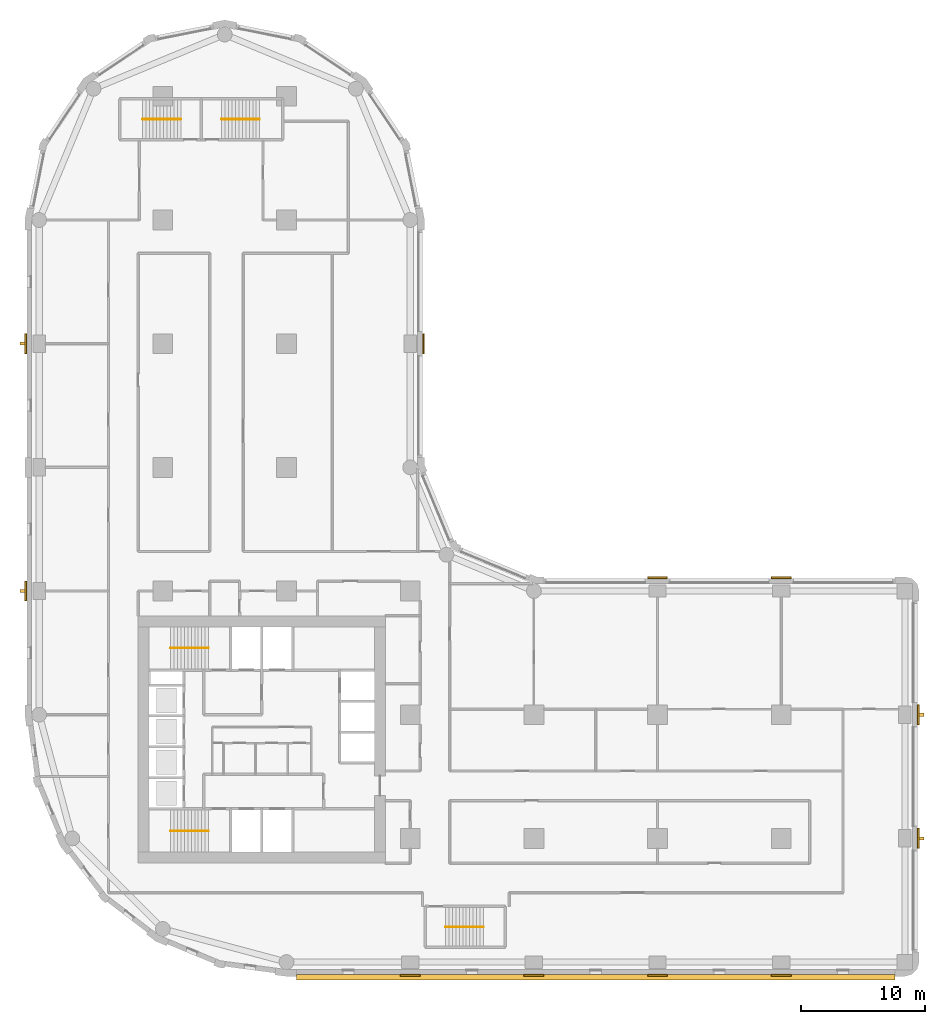
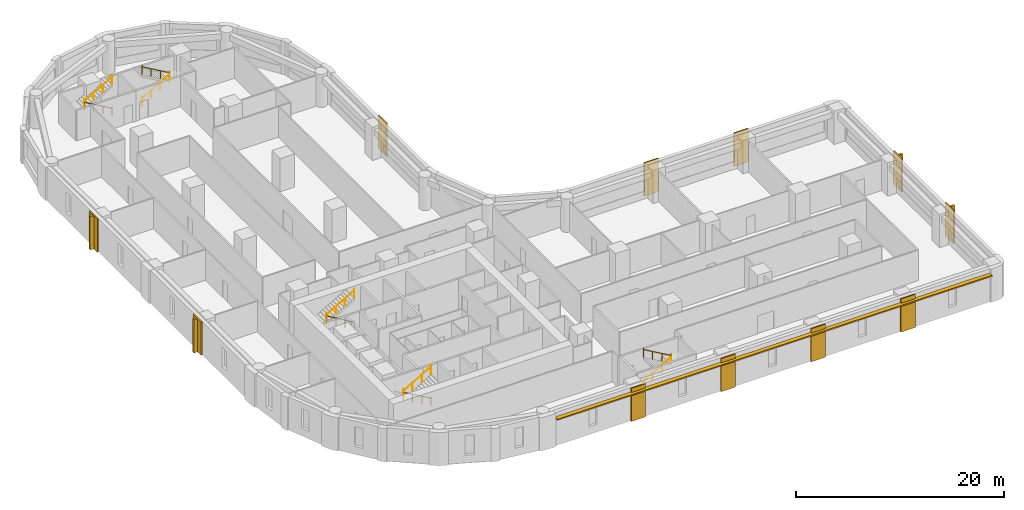
# One storey, part 9 of 10: 11 coverings, 10 railings, 5 shading devices.
"""IFC4 building model written with IfcOpenShell, lengths in metres."""

import ifcopenshell
import ifcopenshell.guid

model = None  # the IFC model being written
_history = None  # IfcOwnerHistory: only IFC2X3 demands one
_inside = {}  # id of a spatial element -> (the spatial element, [elements in it])
_under = {}  # id of a project, library or spatial element -> (it, [spatial elements below it])
_declared = {}  # id of a project -> (the project, [libraries it declares])
_typed = {}  # id of a type object -> (the type object, [elements of that type])
_made_of = {}  # id of a material, layer set ... -> (it, [elements and type objects made of it])


def new_model(schema):
    """Start an empty IFC model of exactly this schema.

    Asked for "IFC4X3", IfcOpenShell would pick the latest addendum, in which some entities
    have other attributes; the version numbers below select the first issue.
    IFC2X3 requires an IfcOwnerHistory on every rooted entity: one is made here for all.
    """
    global model, _history
    if schema == "IFC4X3":
        model = ifcopenshell.file(schema_version=(4, 3, 0, 0))
    else:
        model = ifcopenshell.file(schema=schema)
    _inside.clear()
    _under.clear()
    _declared.clear()
    _typed.clear()
    _made_of.clear()
    _history = None
    if model.schema == "IFC2X3":
        org = make("IfcOrganization", Name="unknown")
        user = make(
            "IfcPersonAndOrganization",
            ThePerson=make("IfcPerson", FamilyName="unknown"),
            TheOrganization=org,
        )
        app = make(
            "IfcApplication",
            ApplicationDeveloper=org,
            Version="unknown",
            ApplicationFullName="unknown",
            ApplicationIdentifier="unknown",
        )
        _history = make(
            "IfcOwnerHistory",
            OwningUser=user,
            OwningApplication=app,
            ChangeAction="ADDED",
            CreationDate=0,
        )
    return model


def make(cls, **values):
    """One entity of the class cls with the attributes given. An attribute that is None is left unset."""
    return model.create_entity(
        cls, **{name: value for name, value in values.items() if value is not None}
    )


def rooted(cls, **values):
    """An entity with a GlobalId (a new one), such as an element, a storey or a relation."""
    return make(cls, GlobalId=ifcopenshell.guid.new(), OwnerHistory=_history, **values)


def si_unit(unit_type, name, prefix=None):
    """IfcSIUnit, for example si_unit("LENGTHUNIT", "METRE", prefix="MILLI")."""
    return make("IfcSIUnit", UnitType=unit_type, Prefix=prefix, Name=name)


def assignment(units):
    """IfcUnitAssignment: the units of a project."""
    return None if units is None else make("IfcUnitAssignment", Units=units)


def point(xyz):
    """IfcCartesianPoint."""
    return None if xyz is None else make("IfcCartesianPoint", Coordinates=xyz)


def direction(xyz):
    """IfcDirection."""
    return None if xyz is None else make("IfcDirection", DirectionRatios=xyz)


def frame(location, z_axis=None, x_axis=None):
    """IfcAxis2Placement3D, a coordinate frame: its origin and axes. An axis left out is left unset."""
    return make(
        "IfcAxis2Placement3D",
        Location=point(location),
        Axis=direction(z_axis),
        RefDirection=direction(x_axis),
    )


def frame_2d(location, x_axis=None):
    """IfcAxis2Placement2D, a coordinate frame in the plane: its origin and x axis."""
    return make(
        "IfcAxis2Placement2D", Location=point(location), RefDirection=direction(x_axis)
    )


def origin():
    """The frame at (0, 0, 0) with its axes left unset."""
    return frame((0.0, 0.0, 0.0))


def origin_2d():
    """The frame at (0, 0) in the plane with its x axis left unset."""
    return frame_2d((0.0, 0.0))


def place(relative_to, where):
    """IfcLocalPlacement: puts the frame where relative to a parent placement (None: the world)."""
    return make(
        "IfcLocalPlacement", PlacementRelTo=relative_to, RelativePlacement=where
    )


def context(
    kind, dimensions, precision=None, world=None, true_north=None, identifier=None
):
    """IfcGeometricRepresentationContext, for example the 3D "Model" context."""
    return make(
        "IfcGeometricRepresentationContext",
        ContextIdentifier=identifier,
        ContextType=kind,
        CoordinateSpaceDimension=dimensions,
        Precision=precision,
        WorldCoordinateSystem=world,
        TrueNorth=true_north,
    )


def subcontext(parent, identifier, kind, view, scale=None):
    """IfcGeometricRepresentationSubContext, for example "Body" below "Model"."""
    return make(
        "IfcGeometricRepresentationSubContext",
        ContextIdentifier=identifier,
        ContextType=kind,
        ParentContext=parent,
        TargetScale=scale,
        TargetView=view,
    )


def project(units=None, contexts=None):
    """IfcProject with its units and contexts."""
    return rooted(
        "IfcProject",
        Name="project",
        RepresentationContexts=contexts,
        UnitsInContext=assignment(units),
    )


def spatial(cls, under=None, at=None, **own):
    """A site, building, storey or space (cls), placed at a placement, below another one or the project."""
    s = rooted(cls, ObjectPlacement=at, **own)
    if under is not None:
        _under.setdefault(under.id(), (under, []))[1].append(s)
    return s


def polyline(points):
    """IfcPolyline through the points."""
    return make("IfcPolyline", Points=[point(p) for p in points])


def profile(cls, at=None, kind="AREA", **sizes):
    """A parametric profile (cls). Its sizes go by their IFC names, for example OverallWidth=200.0."""
    return make(cls, ProfileType=kind, Position=at, **sizes)


def rectangle(**sizes):
    """IfcRectangleProfileDef."""
    return profile("IfcRectangleProfileDef", **sizes)


def circle(**sizes):
    """IfcCircleProfileDef."""
    return profile("IfcCircleProfileDef", **sizes)


def outline(outer, holes=None, kind="AREA"):
    """IfcArbitraryClosedProfileDef: a profile drawn as a closed curve; with holes, ...WithVoids."""
    if holes is None:
        return make("IfcArbitraryClosedProfileDef", ProfileType=kind, OuterCurve=outer)
    return make(
        "IfcArbitraryProfileDefWithVoids",
        ProfileType=kind,
        OuterCurve=outer,
        InnerCurves=holes,
    )


def extrude(swept, where, along, depth):
    """IfcExtrudedAreaSolid: the profile swept, set in the frame where, extruded along a direction by depth."""
    return make(
        "IfcExtrudedAreaSolid",
        SweptArea=swept,
        Position=where,
        ExtrudedDirection=direction(along),
        Depth=depth,
    )


def shape(context_of_items, identifier, shape_type, items):
    """IfcShapeRepresentation: the items that make up one representation, for example the "Body"."""
    return make(
        "IfcShapeRepresentation",
        ContextOfItems=context_of_items,
        RepresentationIdentifier=identifier,
        RepresentationType=shape_type,
        Items=items,
    )


def material(Name=None, Category=None):
    """IfcMaterial."""
    return make("IfcMaterial", Name=Name, Category=Category)


def layer(
    of_material, thickness, ventilated=None, Name=None, Category=None, Priority=None
):
    """IfcMaterialLayer: one layer of a wall or slab, of a material (None: an air gap)."""
    return make(
        "IfcMaterialLayer",
        Material=of_material,
        LayerThickness=thickness,
        IsVentilated=ventilated,
        Name=Name,
        Category=Category,
        Priority=Priority,
    )


def layer_set(layers, Name=None):
    """IfcMaterialLayerSet."""
    return make("IfcMaterialLayerSet", MaterialLayers=layers, LayerSetName=Name)


def made_of(thing, what):
    """Note that an element or type object is made of a material, layer set ...; save() writes the relation."""
    if what is not None:
        _made_of.setdefault(what.id(), (what, []))[1].append(thing)
    return thing


def type_object(cls, material=None, **own):
    """A type object (cls), such as IfcWallType, which elements share."""
    return made_of(rooted(cls, **own), material)


def element(
    cls,
    number,
    at=None,
    inside=None,
    cuts=None,
    type_object=None,
    material=None,
    context=None,
    identifier="Body",
    shape_type=None,
    held_by="IfcProductDefinitionShape",
    body=None,
    shapes=None,
    **own,
):
    """One element of the class cls, such as IfcWall. Its Tag is "e" and its number.

    at: its placement. inside: the storey or other place that contains it. cuts: it is an
    opening in that element (IfcRelVoidsElement). A single representation is given by context,
    identifier, shape_type and body (its items); several are given by shapes. held_by: the class
    of the entity that holds the representations. save() writes the other relations.
    """
    e = rooted(cls, Tag="e%d" % number, ObjectPlacement=at, **own)
    if body is not None:
        shapes = [shape(context, identifier, shape_type, body)]
    if shapes is not None:
        e.Representation = make(held_by, Representations=shapes)
    if inside is not None:
        _inside.setdefault(inside.id(), (inside, []))[1].append(e)
    if cuts is not None:
        rooted(
            "IfcRelVoidsElement", RelatingBuildingElement=cuts, RelatedOpeningElement=e
        )
    if type_object is not None:
        _typed.setdefault(type_object.id(), (type_object, []))[1].append(e)
    return made_of(e, material)


def aggregate(whole, parts):
    """IfcRelAggregates: a whole, such as a stair, and the parts it consists of."""
    return rooted("IfcRelAggregates", RelatingObject=whole, RelatedObjects=parts)


def save(model, path):
    """Write the relations noted so far, then the file.

    IfcRelAggregates (storeys below a building ...), IfcRelContainedInSpatialStructure (elements
    in a storey), IfcRelDefinesByType, IfcRelAssociatesMaterial and IfcRelDeclares: one each for
    every whole, place, type object, material and project.
    """
    for whole, parts in _under.values():
        aggregate(whole, parts)
    for where, things in _inside.values():
        rooted(
            "IfcRelContainedInSpatialStructure",
            RelatedElements=things,
            RelatingStructure=where,
        )
    for kind, things in _typed.values():
        rooted("IfcRelDefinesByType", RelatedObjects=things, RelatingType=kind)
    for what, things in _made_of.values():
        rooted("IfcRelAssociatesMaterial", RelatedObjects=things, RelatingMaterial=what)
    for by, libraries in _declared.values():
        rooted("IfcRelDeclares", RelatingContext=by, RelatedDefinitions=libraries)
    model.write(path)


model = new_model("IFC4")

# Units and contexts
model_context = context("Model", 3, precision=1e-05, world=origin(), true_north=direction((0.0, 1.0)))
body_context = subcontext(model_context, "Body", "Model", "MODEL_VIEW")
ifc_project = project(units=[si_unit("LENGTHUNIT", "METRE"), si_unit("AREAUNIT", "SQUARE_METRE"), si_unit("VOLUMEUNIT", "CUBIC_METRE"), si_unit("PLANEANGLEUNIT", "RADIAN"), si_unit("MASSUNIT", "GRAM", prefix="KILO")], contexts=[model_context])

# Site, building, storey
site_placement = place(None, origin())
site = spatial("IfcSite", under=ifc_project, at=site_placement, CompositionType="ELEMENT")
building_placement = place(site_placement, origin())
building = spatial("IfcBuilding", under=site, at=building_placement, Name="Qaws Garden Tower", CompositionType="ELEMENT")
storey_placement = place(building_placement, frame((0.0, 0.0, 70.5)))
storey = spatial("IfcBuildingStorey", under=building, at=storey_placement, Name="L17", CompositionType="ELEMENT", Elevation=70.5)

# Coverings
ifc_material_1 = material(Name="Clay facing brick masonry", Category="masonry")
ifc_layer_1 = layer(ifc_material_1, 0.14990234375)
ifc_layer_set_1 = layer_set([ifc_layer_1], Name="Clay facing brick masonry")
covering_type = type_object("IfcCoveringType", Name="Brick pilaster facing 150 x 1600", PredefinedType="CLADDING", material=ifc_layer_set_1)
placement = place(storey_placement, origin())
element("IfcCovering", 1, at=placement, inside=storey, type_object=covering_type, Name="E-L17-pier-01", PredefinedType="CLADDING", context=body_context, shape_type="SweptSolid", body=[
    extrude(outline(polyline([(29.199951171875, -1.0), (30.800048828125, -1.0), (30.800048828125, -1.14990234375), (29.199951171875, -1.14990234375), (29.199951171875, -1.0)])), origin(), (0.0, 0.0, 1.0), 3.89990234375),
])
element("IfcCovering", 2, at=placement, inside=storey, type_object=covering_type, Name="E-L17-pier-02", PredefinedType="CLADDING", context=body_context, shape_type="SweptSolid", body=[
    extrude(outline(polyline([(39.199951171875, -1.0), (40.800048828125, -1.0), (40.800048828125, -1.14990234375), (39.199951171875, -1.14990234375), (39.199951171875, -1.0)])), origin(), (0.0, 0.0, 1.0), 3.89990234375),
])
element("IfcCovering", 3, at=placement, inside=storey, type_object=covering_type, Name="E-L17-pier-03", PredefinedType="CLADDING", context=body_context, shape_type="SweptSolid", body=[
    extrude(outline(polyline([(49.199951171875, -1.0), (50.800048828125, -1.0), (50.800048828125, -1.14990234375), (49.199951171875, -1.14990234375), (49.199951171875, -1.0)])), origin(), (0.0, 0.0, 1.0), 3.89990234375),
])
element("IfcCovering", 4, at=placement, inside=storey, type_object=covering_type, Name="E-L17-pier-04", PredefinedType="CLADDING", context=body_context, shape_type="SweptSolid", body=[
    extrude(outline(polyline([(59.199951171875, -1.0), (60.800048828125, -1.0), (60.800048828125, -1.14990234375), (59.199951171875, -1.14990234375), (59.199951171875, -1.0)])), origin(), (0.0, 0.0, 1.0), 3.89990234375),
])
element("IfcCovering", 5, at=placement, inside=storey, type_object=covering_type, Name="E-L17-pier-06", PredefinedType="CLADDING", context=body_context, shape_type="SweptSolid", body=[
    extrude(outline(polyline([(71.0, 9.199951171875), (71.0, 10.800048828125), (71.14990234375, 10.800048828125), (71.14990234375, 9.199951171875), (71.0, 9.199951171875)])), origin(), (0.0, 0.0, 1.0), 3.89990234375),
])
element("IfcCovering", 6, at=placement, inside=storey, type_object=covering_type, Name="E-L17-pier-07", PredefinedType="CLADDING", context=body_context, shape_type="SweptSolid", body=[
    extrude(outline(polyline([(71.0, 19.199951171875), (71.0, 20.800048828125), (71.14990234375, 20.800048828125), (71.14990234375, 19.199951171875), (71.0, 19.199951171875)])), origin(), (0.0, 0.0, 1.0), 3.89990234375),
])
element("IfcCovering", 7, at=placement, inside=storey, type_object=covering_type, Name="E-L17-pier-09", PredefinedType="CLADDING", context=body_context, shape_type="SweptSolid", body=[
    extrude(outline(polyline([(60.800048828125, 31.0), (59.199951171875, 31.0), (59.199951171875, 31.14990234375), (60.800048828125, 31.14990234375), (60.800048828125, 31.0)])), origin(), (0.0, 0.0, 1.0), 3.89990234375),
])
element("IfcCovering", 8, at=placement, inside=storey, type_object=covering_type, Name="E-L17-pier-10", PredefinedType="CLADDING", context=body_context, shape_type="SweptSolid", body=[
    extrude(outline(polyline([(50.800048828125, 31.0), (49.199951171875, 31.0), (49.199951171875, 31.14990234375), (50.800048828125, 31.14990234375), (50.800048828125, 31.0)])), origin(), (0.0, 0.0, 1.0), 3.89990234375),
])
element("IfcCovering", 9, at=placement, inside=storey, type_object=covering_type, Name="E-L17-pier-14", PredefinedType="CLADDING", context=body_context, shape_type="SweptSolid", body=[
    extrude(outline(polyline([(31.0, 49.199951171875), (31.0, 50.800048828125), (31.14990234375, 50.800048828125), (31.14990234375, 49.199951171875), (31.0, 49.199951171875)])), origin(), (0.0, 0.0, 1.0), 3.89990234375),
])
element("IfcCovering", 10, at=placement, inside=storey, type_object=covering_type, Name="E-L17-pier-24", PredefinedType="CLADDING", context=body_context, shape_type="SweptSolid", body=[
    extrude(outline(polyline([(-1.0, 50.800048828125), (-1.0, 49.199951171875), (-1.14990234375, 49.199951171875), (-1.14990234375, 50.800048828125), (-1.0, 50.800048828125)])), origin(), (0.0, 0.0, 1.0), 3.89990234375),
])
element("IfcCovering", 11, at=placement, inside=storey, type_object=covering_type, Name="E-L17-pier-26", PredefinedType="CLADDING", context=body_context, shape_type="SweptSolid", body=[
    extrude(outline(polyline([(-1.0, 30.800048828125), (-1.0, 29.199951171875), (-1.14990234375, 29.199951171875), (-1.14990234375, 30.800048828125), (-1.0, 30.800048828125)])), origin(), (0.0, 0.0, 1.0), 3.89990234375),
])

# Shading devices
ifc_material_2 = material(Name="Clay facing brick masonry", Category="masonry")
ifc_layer_2 = layer(ifc_material_2, 0.14990234375)
ifc_layer_set_2 = layer_set([ifc_layer_2], Name="Clay facing brick masonry")
shading_device_type_1 = type_object("IfcShadingDeviceType", Name="Brick sunshade band 450 x 150", PredefinedType="JALOUSIE", material=ifc_layer_set_2)
shading_device_placement = place(storey_placement, frame((0.0, 0.0, 3.25)))
element("IfcShadingDevice", 12, at=shading_device_placement, inside=storey, type_object=shading_device_type_1, Name="SUNSHADE 00", PredefinedType="JALOUSIE", context=body_context, shape_type="SweptSolid", body=[
    extrude(outline(polyline([(20.800048828125, -1.0), (20.800048828125, -1.449951171875), (69.199951171875, -1.449951171875), (69.199951171875, -1.0), (60.800048828125, -1.0), (60.800048828125, -1.14990234375), (59.199951171875, -1.14990234375), (59.199951171875, -1.0), (50.800048828125, -1.0), (50.800048828125, -1.14990234375), (49.199951171875, -1.14990234375), (49.199951171875, -1.0), (40.800048828125, -1.0), (40.800048828125, -1.14990234375), (39.199951171875, -1.14990234375), (39.199951171875, -1.0), (30.800048828125, -1.0), (30.800048828125, -1.14990234375), (29.199951171875, -1.14990234375), (29.199951171875, -1.0), (20.800048828125, -1.0)])), origin(), (0.0, 0.0, 1.0), 0.14990234375),
])
ifc_material_3 = material(Name="Clay facing brick masonry", Category="masonry")
ifc_layer_3 = layer(ifc_material_3, 0.25)
ifc_layer_set_3 = layer_set([ifc_layer_3], Name="Clay facing brick masonry")
shading_device_type_2 = type_object("IfcShadingDeviceType", Name="Brick-faced fin 250 x 400", PredefinedType="USERDEFINED", material=ifc_layer_set_3)
for number, where, z_axis, x_axis, name in (
    (13, (71.35009765625, 10.0, 0.0), (0.0, 0.0, 1.0), (0.0, 1.0, 0.0), "FIN 06"),
    (14, (71.35009765625, 20.0, 0.0), (0.0, 0.0, 1.0), (0.0, 1.0, 0.0), "FIN 07"),
    (15, (-1.35009765625, 50.0, 0.0), (0.0, 0.0, 1.0), (0.0, -1.0, 0.0), "FIN 24"),
    (16, (-1.35009765625, 30.0, 0.0), (0.0, 0.0, 1.0), (0.0, -1.0, 0.0), "FIN 26"),
):
    element("IfcShadingDevice", number, at=place(storey_placement, frame(where, z_axis=z_axis, x_axis=x_axis)), inside=storey, type_object=shading_device_type_2, Name=name, ObjectType="FIN", PredefinedType="USERDEFINED", context=body_context, shape_type="SweptSolid", body=[
        extrude(rectangle(XDim=0.25, YDim=0.39990234375, at=origin_2d()), origin(), (0.0, 0.0, 1.0), 3.89990234375),
    ])

# Railings
ifc_material_4 = material(Name="Steel S355", Category="steel")
railing_type = type_object("IfcRailingType", Name="Stair handrail 900", PredefinedType="HANDRAIL", material=ifc_material_4)
railing_1_placement = place(storey_placement, frame((13.699951171875, 10.60009765625, 0.16259765625)))
element("IfcRailing", 17, at=railing_1_placement, inside=storey, type_object=railing_type, Name="Stair 1 handrail", PredefinedType="HANDRAIL", context=body_context, shape_type="SweptSolid", body=[
    extrude(circle(Radius=0.02392578125, at=origin_2d()), frame((0.0, 0.0, 0.8759765625), z_axis=(-0.864903211148, 0.0, 0.501938676878), x_axis=(0.0, -1.0, 0.0)), (0.0, 0.0, 1.0), 3.560791015625),
    extrude(circle(Radius=0.02099609375, at=origin_2d()), origin(), (0.0, 0.0, 1.0), 1.06201171875),
    extrude(circle(Radius=0.02099609375, at=origin_2d()), frame((-1.026611328125, 0.0, 0.595703125)), (0.0, 0.0, 1.0), 0.851806640625),
    extrude(circle(Radius=0.02099609375, at=origin_2d()), frame((-2.05322265625, 0.0, 1.191650390625)), (0.0, 0.0, 1.0), 0.851806640625),
    extrude(circle(Radius=0.02099609375, at=origin_2d()), frame((-3.079833984375, 0.0, 1.787353515625)), (0.0, 0.0, 1.0), 1.06201171875),
])
railing_2_placement = place(storey_placement, frame((10.6201171875, 10.60009765625, 2.112548828125)))
element("IfcRailing", 18, at=railing_2_placement, inside=storey, type_object=railing_type, Name="Stair 1 handrail", PredefinedType="HANDRAIL", context=body_context, shape_type="SweptSolid", body=[
    extrude(circle(Radius=0.02392578125, at=origin_2d()), frame((0.0, 0.0, 0.8759765625), z_axis=(0.864903211148, 0.0, 0.501938676878), x_axis=(0.0, 1.0, 0.0)), (0.0, 0.0, 1.0), 3.560791015625),
    extrude(circle(Radius=0.02099609375, at=origin_2d()), origin(), (0.0, 0.0, 1.0), 1.06201171875),
    extrude(circle(Radius=0.02099609375, at=origin_2d()), frame((1.026611328125, 0.0, 0.595703125)), (0.0, 0.0, 1.0), 0.851806640625),
    extrude(circle(Radius=0.02099609375, at=origin_2d()), frame((2.05322265625, 0.0, 1.191650390625)), (0.0, 0.0, 1.0), 0.851806640625),
    extrude(circle(Radius=0.02099609375, at=origin_2d()), frame((3.079833984375, 0.0, 1.787353515625)), (0.0, 0.0, 1.0), 1.06201171875),
])
railing_3_placement = place(storey_placement, frame((13.699951171875, 25.39990234375, 0.16259765625)))
element("IfcRailing", 19, at=railing_3_placement, inside=storey, type_object=railing_type, Name="Stair 4 handrail", PredefinedType="HANDRAIL", context=body_context, shape_type="SweptSolid", body=[
    extrude(circle(Radius=0.02392578125, at=origin_2d()), frame((0.0, 0.0, 0.8759765625), z_axis=(-0.864903211148, 0.0, 0.501938676878), x_axis=(0.0, -1.0, 0.0)), (0.0, 0.0, 1.0), 3.560791015625),
    extrude(circle(Radius=0.02099609375, at=origin_2d()), origin(), (0.0, 0.0, 1.0), 1.06201171875),
    extrude(circle(Radius=0.02099609375, at=origin_2d()), frame((-1.026611328125, 0.0, 0.595703125)), (0.0, 0.0, 1.0), 0.851806640625),
    extrude(circle(Radius=0.02099609375, at=origin_2d()), frame((-2.05322265625, 0.0, 1.191650390625)), (0.0, 0.0, 1.0), 0.851806640625),
    extrude(circle(Radius=0.02099609375, at=origin_2d()), frame((-3.079833984375, 0.0, 1.787353515625)), (0.0, 0.0, 1.0), 1.06201171875),
])
for number, where, name in (
    (20, (10.6201171875, 25.39990234375, 2.112548828125), "Stair 4 handrail"),
    (21, (32.85009765625, 2.85009765625, 0.16259765625), "Stair 5 handrail"),
):
    element("IfcRailing", number, at=place(storey_placement, frame(where)), inside=storey, type_object=railing_type, Name=name, PredefinedType="HANDRAIL", context=body_context, shape_type="SweptSolid", body=[
        extrude(circle(Radius=0.02392578125, at=origin_2d()), frame((0.0, 0.0, 0.8759765625), z_axis=(0.864903211148, 0.0, 0.501938676878), x_axis=(0.0, 1.0, 0.0)), (0.0, 0.0, 1.0), 3.560791015625),
        extrude(circle(Radius=0.02099609375, at=origin_2d()), origin(), (0.0, 0.0, 1.0), 1.06201171875),
        extrude(circle(Radius=0.02099609375, at=origin_2d()), frame((1.026611328125, 0.0, 0.595703125)), (0.0, 0.0, 1.0), 0.851806640625),
        extrude(circle(Radius=0.02099609375, at=origin_2d()), frame((2.05322265625, 0.0, 1.191650390625)), (0.0, 0.0, 1.0), 0.851806640625),
        extrude(circle(Radius=0.02099609375, at=origin_2d()), frame((3.079833984375, 0.0, 1.787353515625)), (0.0, 0.0, 1.0), 1.06201171875),
    ])
for number, where, name in (
    (22, (35.929931640625, 2.85009765625, 2.112548828125), "Stair 5 handrail"),
    (23, (11.449951171875, 68.14990234375, 0.16259765625), "Stair 6 handrail"),
):
    element("IfcRailing", number, at=place(storey_placement, frame(where)), inside=storey, type_object=railing_type, Name=name, PredefinedType="HANDRAIL", context=body_context, shape_type="SweptSolid", body=[
        extrude(circle(Radius=0.02392578125, at=origin_2d()), frame((0.0, 0.0, 0.8759765625), z_axis=(-0.864903211148, 0.0, 0.501938676878), x_axis=(0.0, -1.0, 0.0)), (0.0, 0.0, 1.0), 3.560791015625),
        extrude(circle(Radius=0.02099609375, at=origin_2d()), origin(), (0.0, 0.0, 1.0), 1.06201171875),
        extrude(circle(Radius=0.02099609375, at=origin_2d()), frame((-1.026611328125, 0.0, 0.595703125)), (0.0, 0.0, 1.0), 0.851806640625),
        extrude(circle(Radius=0.02099609375, at=origin_2d()), frame((-2.05322265625, 0.0, 1.191650390625)), (0.0, 0.0, 1.0), 0.851806640625),
        extrude(circle(Radius=0.02099609375, at=origin_2d()), frame((-3.079833984375, 0.0, 1.787353515625)), (0.0, 0.0, 1.0), 1.06201171875),
    ])
railing_4_placement = place(storey_placement, frame((8.3701171875, 68.14990234375, 2.112548828125)))
element("IfcRailing", 24, at=railing_4_placement, inside=storey, type_object=railing_type, Name="Stair 6 handrail", PredefinedType="HANDRAIL", context=body_context, shape_type="SweptSolid", body=[
    extrude(circle(Radius=0.02392578125, at=origin_2d()), frame((0.0, 0.0, 0.8759765625), z_axis=(0.864903211148, 0.0, 0.501938676878), x_axis=(0.0, 1.0, 0.0)), (0.0, 0.0, 1.0), 3.560791015625),
    extrude(circle(Radius=0.02099609375, at=origin_2d()), origin(), (0.0, 0.0, 1.0), 1.06201171875),
    extrude(circle(Radius=0.02099609375, at=origin_2d()), frame((1.026611328125, 0.0, 0.595703125)), (0.0, 0.0, 1.0), 0.851806640625),
    extrude(circle(Radius=0.02099609375, at=origin_2d()), frame((2.05322265625, 0.0, 1.191650390625)), (0.0, 0.0, 1.0), 0.851806640625),
    extrude(circle(Radius=0.02099609375, at=origin_2d()), frame((3.079833984375, 0.0, 1.787353515625)), (0.0, 0.0, 1.0), 1.06201171875),
])
railing_5_placement = place(storey_placement, frame((14.75, 68.14990234375, 0.16259765625)))
element("IfcRailing", 25, at=railing_5_placement, inside=storey, type_object=railing_type, Name="Stair 7 handrail", PredefinedType="HANDRAIL", context=body_context, shape_type="SweptSolid", body=[
    extrude(circle(Radius=0.02392578125, at=origin_2d()), frame((0.0, 0.0, 0.8759765625), z_axis=(0.864920483161, 0.0, 0.501908913857), x_axis=(0.0, 1.0, 0.0)), (0.0, 0.0, 1.0), 3.56103515625),
    extrude(circle(Radius=0.02099609375, at=origin_2d()), origin(), (0.0, 0.0, 1.0), 1.06201171875),
    extrude(circle(Radius=0.02099609375, at=origin_2d()), frame((1.026611328125, 0.0, 0.595703125)), (0.0, 0.0, 1.0), 0.851806640625),
    extrude(circle(Radius=0.02099609375, at=origin_2d()), frame((2.053466796875, 0.0, 1.191650390625)), (0.0, 0.0, 1.0), 0.851806640625),
    extrude(circle(Radius=0.02099609375, at=origin_2d()), frame((3.080078125, 0.0, 1.787353515625)), (0.0, 0.0, 1.0), 1.06201171875),
])
railing_6_placement = place(storey_placement, frame((17.830078125, 68.14990234375, 2.112548828125)))
element("IfcRailing", 26, at=railing_6_placement, inside=storey, type_object=railing_type, Name="Stair 7 handrail", PredefinedType="HANDRAIL", context=body_context, shape_type="SweptSolid", body=[
    extrude(circle(Radius=0.02392578125, at=origin_2d()), frame((0.0, 0.0, 0.8759765625), z_axis=(-0.864920483161, 0.0, 0.501908913857), x_axis=(0.0, -1.0, 0.0)), (0.0, 0.0, 1.0), 3.56103515625),
    extrude(circle(Radius=0.02099609375, at=origin_2d()), origin(), (0.0, 0.0, 1.0), 1.06201171875),
    extrude(circle(Radius=0.02099609375, at=origin_2d()), frame((-1.026611328125, 0.0, 0.595703125)), (0.0, 0.0, 1.0), 0.851806640625),
    extrude(circle(Radius=0.02099609375, at=origin_2d()), frame((-2.053466796875, 0.0, 1.191650390625)), (0.0, 0.0, 1.0), 0.851806640625),
    extrude(circle(Radius=0.02099609375, at=origin_2d()), frame((-3.080078125, 0.0, 1.787353515625)), (0.0, 0.0, 1.0), 1.06201171875),
])

save(model, "model.ifc")
